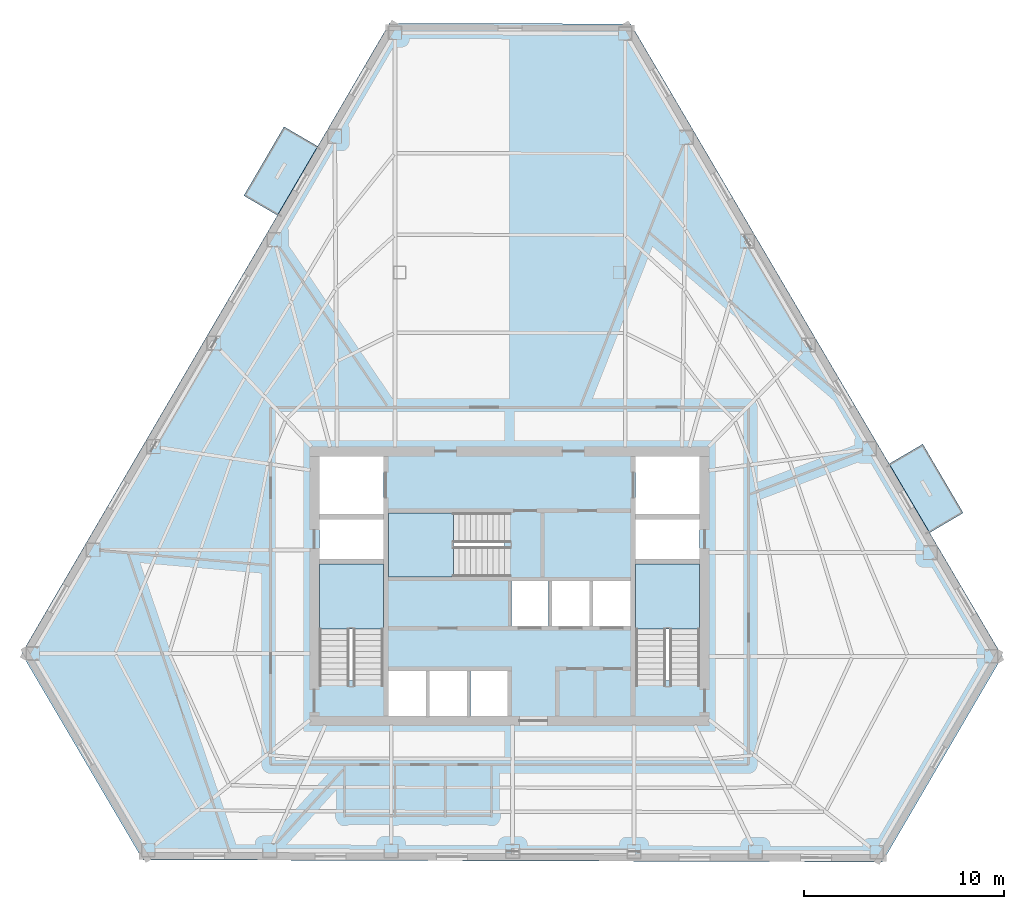
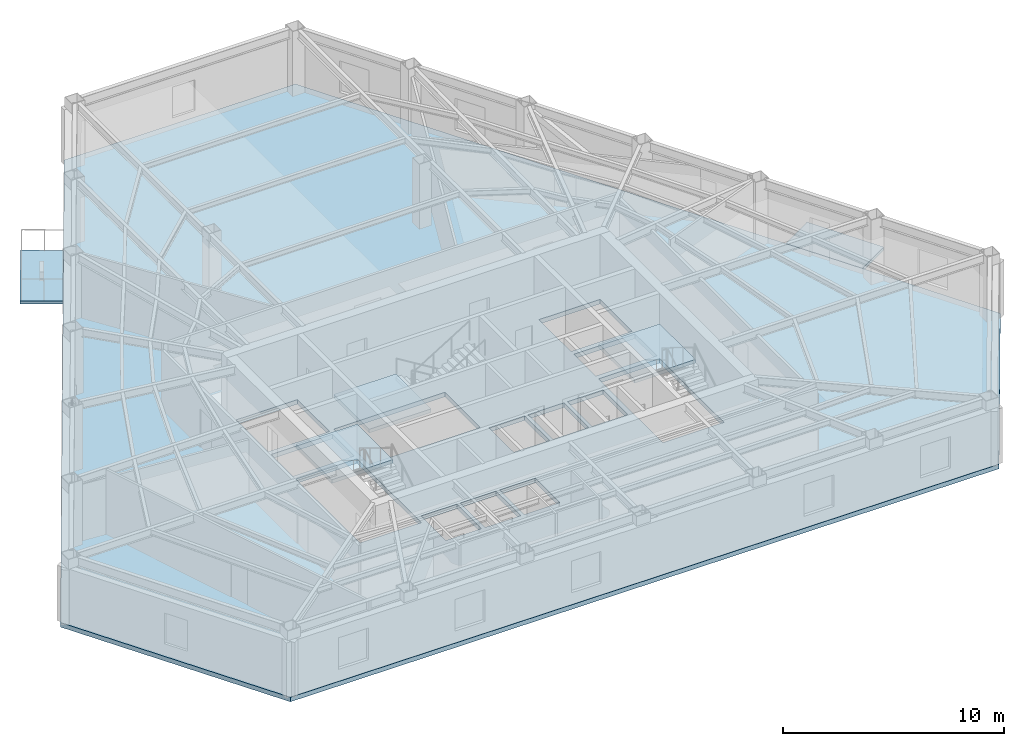
# One storey, part 3 of 11: 6 slabs, 3 elements without a shape of their own.
"""IFC4 building model written with IfcOpenShell, lengths in metres."""

from ifc_helpers import new_model, si_unit, direction, frame, origin, place, context, subcontext, project, spatial, polyline, outline, extrude, material, layer, layer_set, type_object, element, aggregate, save


model = new_model("IFC4")

# Units and contexts
model_context = context("Model", 3, precision=1e-05, world=origin(), true_north=direction((0.0, 1.0)))
body_context = subcontext(model_context, "Body", "Model", "MODEL_VIEW")
ifc_project = project(units=[si_unit("LENGTHUNIT", "METRE"), si_unit("AREAUNIT", "SQUARE_METRE"), si_unit("VOLUMEUNIT", "CUBIC_METRE"), si_unit("PLANEANGLEUNIT", "RADIAN"), si_unit("MASSUNIT", "GRAM", prefix="KILO")], contexts=[model_context])

# Site, building, storey
site_placement = place(None, origin())
site = spatial("IfcSite", under=ifc_project, at=site_placement, CompositionType="ELEMENT")
building_placement = place(site_placement, origin())
building = spatial("IfcBuilding", under=site, at=building_placement, Name="Kavelnor Concourse Tower", CompositionType="ELEMENT")
storey_placement = place(building_placement, frame((0.0, 0.0, 127.85009765625)))
storey = spatial("IfcBuildingStorey", under=building, at=storey_placement, Name="L32", CompositionType="ELEMENT", Elevation=127.85009765625)

# Slabs
ifc_material = material(Name="Concrete C40/50", Category="concrete")
ifc_layer_1 = layer(ifc_material, 0.169921875, Name="Concrete C40/50")
ifc_layer_set_1 = layer_set([ifc_layer_1], Name="Concrete C40/50")
slab_type_1 = type_object("IfcSlabType", Name="SLB-BALCONY-170", PredefinedType="FLOOR", material=ifc_layer_set_1)
slab_1_placement = place(storey_placement, frame((0.0, 0.0, -0.170166015625)))
element("IfcSlab", 1, at=slab_1_placement, inside=storey, type_object=slab_type_1, Name="L32 Cantilevered Tree Balcony Slab 1", PredefinedType="FLOOR", context=body_context, shape_type="SweptSolid", body=[
    extrude(outline(polyline([(58.69677734375, 23.20849609375), (60.72314453125, 19.759765625), (59.0419921875, 18.77197265625), (57.015625, 22.220703125), (58.69677734375, 23.20849609375)])), origin(), (0.0, 0.0, 1.0), 0.170166015625),
])
slab_2_placement = place(storey_placement, frame((0.0, 0.0, -0.170166015625)))
element("IfcSlab", 2, at=slab_2_placement, inside=storey, type_object=slab_type_1, Name="L32 Cantilevered Tree Balcony Slab 2", PredefinedType="FLOOR", context=body_context, shape_type="SweptSolid", body=[
    extrude(outline(polyline([(24.69189453125, 35.65087890625), (26.7080078125, 39.10546875), (28.39208984375, 38.12255859375), (26.3759765625, 34.667724609375), (24.69189453125, 35.65087890625)])), origin(), (0.0, 0.0, 1.0), 0.170166015625),
])

# Stair, slab
stair_type = type_object("IfcStairType", Name="STR-CORE-1500", PredefinedType="HALF_TURN_STAIR", material=ifc_material)
stair_1_placement = place(storey_placement, origin())
stair_1 = element("IfcStair", 3, at=stair_1_placement, inside=storey, type_object=stair_type, Name="L32 ST1", PredefinedType="HALF_TURN_STAIR")
ifc_layer_2 = layer(ifc_material, 0.199951171875, Name="Concrete C40/50")
ifc_layer_set_2 = layer_set([ifc_layer_2], Name="Concrete C40/50")
slab_type_2 = type_object("IfcSlabType", Name="SLB-LANDING-200", PredefinedType="LANDING", material=ifc_layer_set_2)
slab_3_placement = place(storey_placement, frame((0.0, 0.0, 1.724853515625)))
slab_3 = element("IfcSlab", 4, at=slab_3_placement, type_object=slab_type_2, Name="ST1 landing 1", PredefinedType="LANDING", context=body_context, shape_type="SweptSolid", body=[
    extrude(outline(polyline([(31.679931640625, 13.949951171875), (31.679931640625, 17.199951171875), (28.47998046875, 17.199951171875), (28.47998046875, 13.949951171875), (31.679931640625, 13.949951171875)])), origin(), (0.0, 0.0, 1.0), 0.199951171875),
])
aggregate(stair_1, [slab_3])

stair_2_placement = place(storey_placement, origin())
stair_2 = element("IfcStair", 5, at=stair_2_placement, inside=storey, type_object=stair_type, Name="L32 ST2", PredefinedType="HALF_TURN_STAIR")
slab_4_placement = place(storey_placement, frame((0.0, 0.0, 1.724853515625)))
slab_4 = element("IfcSlab", 6, at=slab_4_placement, type_object=slab_type_2, Name="ST2 landing 1", PredefinedType="LANDING", context=body_context, shape_type="SweptSolid", body=[
    extrude(outline(polyline([(47.52001953125, 13.949951171875), (47.52001953125, 17.199951171875), (44.320068359375, 17.199951171875), (44.320068359375, 13.949951171875), (47.52001953125, 13.949951171875)])), origin(), (0.0, 0.0, 1.0), 0.199951171875),
])
aggregate(stair_2, [slab_4])

stair_3_placement = place(storey_placement, origin())
stair_3 = element("IfcStair", 7, at=stair_3_placement, inside=storey, type_object=stair_type, Name="L32 ST3", PredefinedType="HALF_TURN_STAIR")
slab_5_placement = place(storey_placement, frame((0.0, 0.0, 1.724853515625)))
slab_5 = element("IfcSlab", 8, at=slab_5_placement, type_object=slab_type_2, Name="ST3 landing 1", PredefinedType="LANDING", context=body_context, shape_type="SweptSolid", body=[
    extrude(outline(polyline([(35.18994140625, 19.760009765625), (31.93994140625, 19.760009765625), (31.93994140625, 16.56005859375), (35.18994140625, 16.56005859375), (35.18994140625, 19.760009765625)])), origin(), (0.0, 0.0, 1.0), 0.199951171875),
])
aggregate(stair_3, [slab_5])

# Slab
ifc_layer_3 = layer(ifc_material, 0.25, Name="Concrete C40/50")
ifc_layer_set_3 = layer_set([ifc_layer_3], Name="Concrete C40/50")
slab_type_3 = type_object("IfcSlabType", Name="SLB-OFFICE-250", PredefinedType="FLOOR", material=ifc_layer_set_3)
slab_6_placement = place(storey_placement, frame((0.0, 0.0, -0.25)))
element("IfcSlab", 9, at=slab_6_placement, inside=storey, type_object=slab_type_3, Name="L32 Composite Structural Floor Slab", PredefinedType="FLOOR", context=body_context, shape_type="SweptSolid", body=[
    extrude(outline(polyline([(44.0712890625, 44.251220703125), (31.98974609375, 44.286376953125), (13.567138671875, 12.721435546875), (19.638427734375, 2.388427734375), (56.6708984375, 2.2802734375), (62.68115234375, 12.578125), (44.0712890625, 44.251220703125)]), holes=[polyline([(28.47998046875, 11.3798828125), (31.679931640625, 11.3798828125), (31.679931640625, 17.199951171875), (28.47998046875, 17.199951171875), (28.47998046875, 11.3798828125)]), polyline([(44.320068359375, 11.3798828125), (47.52001953125, 11.3798828125), (47.52001953125, 17.199951171875), (44.320068359375, 17.199951171875), (44.320068359375, 11.3798828125)]), polyline([(31.93994140625, 16.56005859375), (37.760009765625, 16.56005859375), (37.760009765625, 19.760009765625), (31.93994140625, 19.760009765625), (31.93994140625, 16.56005859375)]), polyline([(28.47998046875, 19.699951171875), (31.679931640625, 19.699951171875), (31.679931640625, 22.60009765625), (28.47998046875, 22.60009765625), (28.47998046875, 19.699951171875)]), polyline([(44.320068359375, 19.699951171875), (47.52001953125, 19.699951171875), (47.52001953125, 22.60009765625), (44.320068359375, 22.60009765625), (44.320068359375, 19.699951171875)]), polyline([(38.090087890625, 14.10009765625), (39.9599609375, 14.10009765625), (39.9599609375, 16.340087890625), (38.090087890625, 16.340087890625), (38.090087890625, 14.10009765625)]), polyline([(40.139892578125, 14.10009765625), (42.010009765625, 14.10009765625), (42.010009765625, 16.340087890625), (40.139892578125, 16.340087890625), (40.139892578125, 14.10009765625)]), polyline([(42.18994140625, 14.10009765625), (44.06005859375, 14.10009765625), (44.06005859375, 16.340087890625), (42.18994140625, 16.340087890625), (42.18994140625, 14.10009765625)]), polyline([(31.93994140625, 9.60009765625), (33.81005859375, 9.60009765625), (33.81005859375, 11.840087890625), (31.93994140625, 11.840087890625), (31.93994140625, 9.60009765625)]), polyline([(33.989990234375, 9.60009765625), (35.860107421875, 9.60009765625), (35.860107421875, 11.840087890625), (33.989990234375, 11.840087890625), (33.989990234375, 9.60009765625)]), polyline([(36.0400390625, 9.60009765625), (37.909912109375, 9.60009765625), (37.909912109375, 11.840087890625), (36.0400390625, 11.840087890625), (36.0400390625, 9.60009765625)]), polyline([(28.47998046875, 17.4599609375), (31.679931640625, 17.4599609375), (31.679931640625, 19.43994140625), (28.47998046875, 19.43994140625), (28.47998046875, 17.4599609375)]), polyline([(44.320068359375, 17.4599609375), (47.52001953125, 17.4599609375), (47.52001953125, 19.43994140625), (44.320068359375, 19.43994140625), (44.320068359375, 17.4599609375)])]), origin(), (0.0, 0.0, 1.0), 0.25),
])

save(model, "model.ifc")
